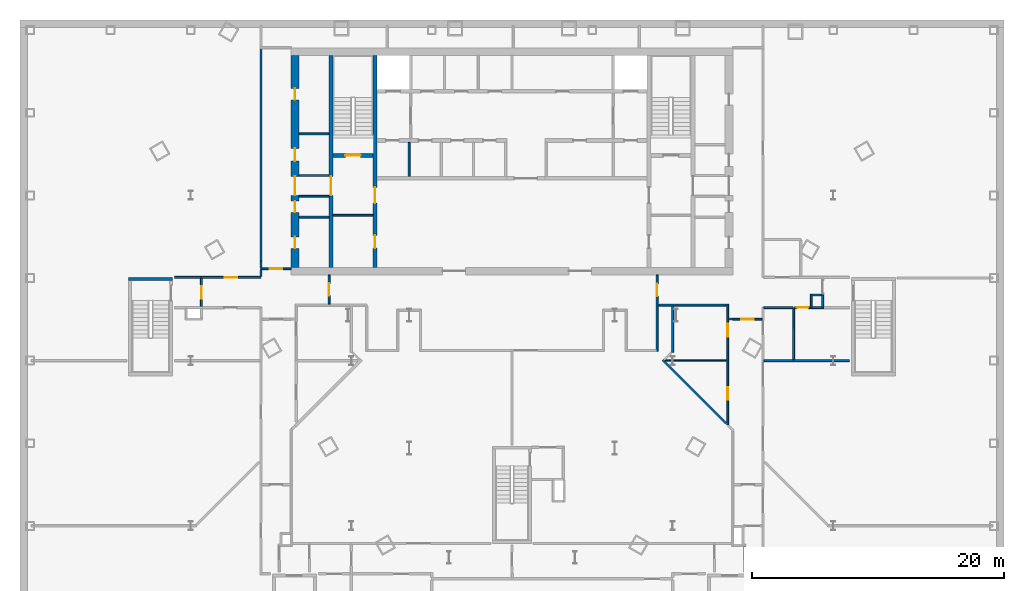
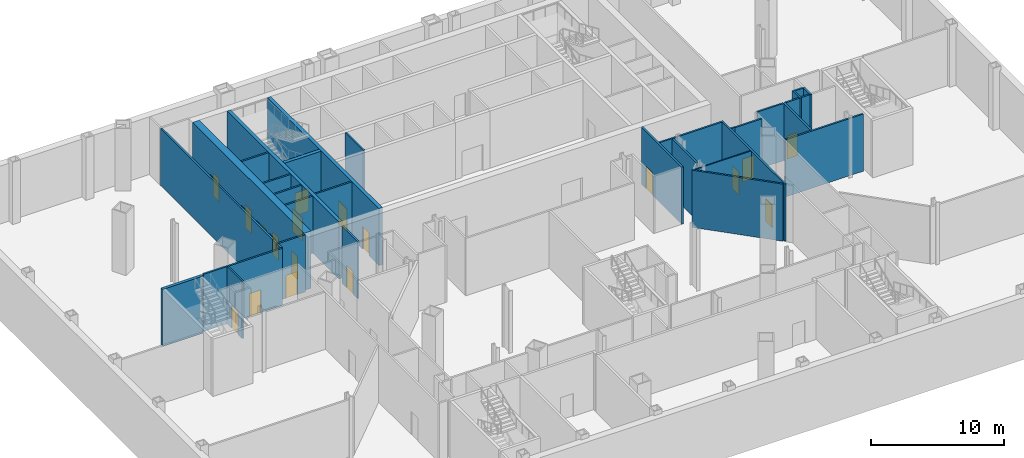
# One storey, part 8 of 17: 34 walls, 18 doors, 18 openings.
"""IFC4 building model written with IfcOpenShell, lengths in metres."""

from ifc_helpers import new_model, si_unit, direction, frame, frame_2d, origin, place, context, subcontext, project, spatial, rectangle, extrude, material, layer, layer_set, type_object, element, fill, save


model = new_model("IFC4")

# Units and contexts
model_context = context("Model", 3, precision=1e-05, world=origin(), true_north=direction((0.0, 1.0)))
body_context = subcontext(model_context, "Body", "Model", "MODEL_VIEW")
ifc_project = project(units=[si_unit("LENGTHUNIT", "METRE"), si_unit("AREAUNIT", "SQUARE_METRE"), si_unit("VOLUMEUNIT", "CUBIC_METRE"), si_unit("PLANEANGLEUNIT", "RADIAN"), si_unit("MASSUNIT", "GRAM", prefix="KILO")], contexts=[model_context])

# Site, building, storey
site_placement = place(None, origin())
site = spatial("IfcSite", under=ifc_project, at=site_placement, CompositionType="ELEMENT")
building_placement = place(site_placement, origin())
building = spatial("IfcBuilding", under=site, at=building_placement, Name="Njiva Tower", CompositionType="ELEMENT")
storey_placement = place(building_placement, frame((0.0, 0.0, -11.4)))
storey = spatial("IfcBuildingStorey", under=building, at=storey_placement, Name="B2", CompositionType="ELEMENT", Elevation=-11.4)

# Walls
ifc_material_1 = material(Name="Blockwork", Category="masonry")
ifc_layer_1 = layer(ifc_material_1, 0.15)
ifc_layer_set_1 = layer_set([ifc_layer_1], Name="Blockwork")
wall_type_1 = type_object("IfcWallType", Name="WT1 Compartment partition 150", PredefinedType="PARTITIONING", material=ifc_layer_set_1)
wall_1_placement = place(storey_placement, frame((-8.15, 7.8, 0.0), z_axis=(0.0, 0.0, 1.0), x_axis=(0.0, 1.0, 0.0)))
element("IfcWall", 1, at=wall_1_placement, inside=storey, type_object=wall_type_1, Name="Partition CS1", PredefinedType="PARTITIONING", context=body_context, shape_type="SweptSolid", body=[
    extrude(rectangle(XDim=2.7, YDim=0.15, at=frame_2d((1.35, 0.0))), origin(), (0.0, 0.0, 1.0), 5.25),
])
wall_2_placement = place(storey_placement, frame((-14.2, 4.725, 0.0), z_axis=(0.0, 0.0, 1.0), x_axis=(1.0, 0.0, 0.0)))
element("IfcWall", 2, at=wall_2_placement, inside=storey, type_object=wall_type_1, Name="Room wall A", PredefinedType="PARTITIONING", context=body_context, shape_type="SweptSolid", body=[
    extrude(rectangle(XDim=3.2, YDim=0.15, at=frame_2d((1.6, 0.0))), origin(), (0.0, 0.0, 1.0), 5.25),
])
wall_3_placement = place(storey_placement, frame((-16.9, 11.1709, 0.0), z_axis=(0.0, 0.0, 1.0), x_axis=(1.0, 0.0, 0.0)))
element("IfcWall", 3, at=wall_3_placement, inside=storey, type_object=wall_type_1, Name="Partition strip W10", PredefinedType="PARTITIONING", context=body_context, shape_type="SweptSolid", body=[
    extrude(rectangle(XDim=2.4, YDim=0.15, at=frame_2d((1.2, 0.0))), origin(), (0.0, 0.0, 1.0), 5.25),
])

# Wall, openings, doors
ifc_material_2 = material(Name="Concrete C40/50", Category="concrete")
ifc_layer_2 = layer(ifc_material_2, 0.3)
ifc_layer_set_2 = layer_set([ifc_layer_2], Name="Concrete C40/50")
wall_type_2 = type_object("IfcWallType", Name="WT10 Stair enclosure wall 300", PredefinedType="SHEAR", material=ifc_layer_set_2)
wall_4_placement = place(storey_placement, frame((-10.85, 0.6, 0.0), z_axis=(0.0, 0.0, 1.0), x_axis=(0.0, 1.0, 0.0)))
wall_4 = element("IfcWall", 4, at=wall_4_placement, inside=storey, type_object=wall_type_2, Name="Stair wall west inner", PredefinedType="SHEAR", context=body_context, shape_type="SweptSolid", body=[
    extrude(rectangle(XDim=16.8, YDim=0.3, at=frame_2d((8.4, 0.0))), origin(), (0.0, 0.0, 1.0), 5.25),
])
opening_1_placement = place(wall_4_placement, frame((5.075, 0.0, 0.0)))
opening_1 = element("IfcOpeningElement", 5, at=opening_1_placement, cuts=wall_4, Name="Opening B2-D915", PredefinedType="OPENING", context=body_context, shape_type="SweptSolid", body=[
    extrude(rectangle(XDim=1.25, YDim=2.1, at=frame_2d((0.625, 1.05))), frame((0.0, 0.16, 0.0), z_axis=(0.0, -1.0, 0.0), x_axis=(1.0, 0.0, 0.0)), (0.0, 0.0, 1.0), 0.32),
])
opening_2_placement = place(wall_4_placement, frame((1.525, 0.0, 0.0)))
opening_2 = element("IfcOpeningElement", 6, at=opening_2_placement, cuts=wall_4, Name="Opening B2-D916", PredefinedType="OPENING", context=body_context, shape_type="SweptSolid", body=[
    extrude(rectangle(XDim=1.0, YDim=2.1, at=frame_2d((0.5, 1.05))), frame((0.0, 0.16, 0.0), z_axis=(0.0, -1.0, 0.0), x_axis=(1.0, 0.0, 0.0)), (0.0, 0.0, 1.0), 0.32),
])
ifc_material_3 = material(Name="Steel door, painted", Category="steel")
door_type_1 = type_object("IfcDoorType", Name="D5 Steel door 1000x2100", OperationType="SINGLE_SWING_LEFT", PredefinedType="DOOR", material=ifc_material_3)
door_1_placement = place(opening_2_placement, origin())
door_1 = element("IfcDoor", 7, at=door_1_placement, inside=storey, type_object=door_type_1, Name="Plant room door", OperationType="SINGLE_SWING_RIGHT", OverallHeight=2.1, OverallWidth=1.0, PredefinedType="DOOR", context=body_context, shape_type="SweptSolid", body=[
    extrude(rectangle(XDim=1.0, YDim=2.1, at=frame_2d((0.5, 1.05))), frame((0.0, 0.025, 0.0), z_axis=(0.0, -1.0, 0.0), x_axis=(1.0, 0.0, 0.0)), (0.0, 0.0, 1.0), 0.05),
])
fill(opening_2, door_1)
ifc_material_4 = material(Name="Glazed steel fire door", Category="steel")
door_type_2 = type_object("IfcDoorType", Name="D8 Vestibule corridor door 1250x2100 glazed", OperationType="SINGLE_SWING_LEFT", PredefinedType="DOOR", material=ifc_material_4)
door_2_placement = place(opening_1_placement, origin())
door_2 = element("IfcDoor", 8, at=door_2_placement, inside=storey, type_object=door_type_2, Name="Stair vestibule corridor door", OperationType="SINGLE_SWING_LEFT", OverallHeight=2.1, OverallWidth=1.25, PredefinedType="DOOR", context=body_context, shape_type="SweptSolid", body=[
    extrude(rectangle(XDim=1.25, YDim=2.1, at=frame_2d((0.625, 1.05))), frame((0.0, 0.025, 0.0), z_axis=(0.0, -1.0, 0.0), x_axis=(1.0, 0.0, 0.0)), (0.0, 0.0, 1.0), 0.05),
])
fill(opening_1, door_2)

# Wall, opening, door
wall_5_placement = place(storey_placement, frame((-14.35, 0.6, 0.0), z_axis=(0.0, 0.0, 1.0), x_axis=(0.0, 1.0, 0.0)))
wall_5 = element("IfcWall", 9, at=wall_5_placement, inside=storey, type_object=wall_type_2, Name="Stair wall west outer", PredefinedType="SHEAR", context=body_context, shape_type="SweptSolid", body=[
    extrude(rectangle(XDim=16.8, YDim=0.3, at=frame_2d((8.4, 0.0))), origin(), (0.0, 0.0, 1.0), 5.25),
])
opening_3_placement = place(wall_5_placement, frame((5.7, 0.0, 0.0)))
opening_3 = element("IfcOpeningElement", 10, at=opening_3_placement, cuts=wall_5, Name="Opening B2-D921", PredefinedType="OPENING", context=body_context, shape_type="SweptSolid", body=[
    extrude(rectangle(XDim=1.5, YDim=2.1, at=frame_2d((0.75, 1.05))), frame((0.0, 0.16, 0.0), z_axis=(0.0, -1.0, 0.0), x_axis=(1.0, 0.0, 0.0)), (0.0, 0.0, 1.0), 0.32),
])
door_type_3 = type_object("IfcDoorType", Name="D10 Exit door double 1500x2100 glazed", OperationType="DOUBLE_DOOR_SINGLE_SWING", PredefinedType="DOOR", material=ifc_material_4)
door_3_placement = place(opening_3_placement, origin())
door_3 = element("IfcDoor", 11, at=door_3_placement, inside=storey, type_object=door_type_3, Name="Stair A passage door", OperationType="DOUBLE_DOOR_SINGLE_SWING", OverallHeight=2.1, OverallWidth=1.5, PredefinedType="DOOR", context=body_context, shape_type="SweptSolid", body=[
    extrude(rectangle(XDim=1.5, YDim=2.1, at=frame_2d((0.75, 1.05))), frame((0.0, 0.025, 0.0), z_axis=(0.0, -1.0, 0.0), x_axis=(1.0, 0.0, 0.0)), (0.0, 0.0, 1.0), 0.05),
])
fill(opening_3, door_3)

wall_6_placement = place(storey_placement, frame((-14.2, 9.45, 0.0), z_axis=(0.0, 0.0, 1.0), x_axis=(1.0, 0.0, 0.0)))
wall_6 = element("IfcWall", 12, at=wall_6_placement, inside=storey, type_object=wall_type_2, Name="Stair A south wall", PredefinedType="SHEAR", context=body_context, shape_type="SweptSolid", body=[
    extrude(rectangle(XDim=3.2, YDim=0.3, at=frame_2d((1.6, 0.0))), origin(), (0.0, 0.0, 1.0), 5.25),
])
opening_4_placement = place(wall_6_placement, frame((1.0, 0.0, 0.0)))
opening_4 = element("IfcOpeningElement", 13, at=opening_4_placement, cuts=wall_6, Name="Opening B2-D914", PredefinedType="OPENING", context=body_context, shape_type="SweptSolid", body=[
    extrude(rectangle(XDim=1.2, YDim=2.1, at=frame_2d((0.6, 1.05))), frame((0.0, 0.16, 0.0), z_axis=(0.0, -1.0, 0.0), x_axis=(1.0, 0.0, 0.0)), (0.0, 0.0, 1.0), 0.32),
])
door_type_4 = type_object("IfcDoorType", Name="D7 Stair vestibule door 1200x2100 glazed", OperationType="SINGLE_SWING_LEFT", PredefinedType="DOOR", material=ifc_material_4)
door_4_placement = place(opening_4_placement, origin())
door_4 = element("IfcDoor", 14, at=door_4_placement, inside=storey, type_object=door_type_4, Name="Stair A door", OperationType="SINGLE_SWING_LEFT", OverallHeight=2.1, OverallWidth=1.2, PredefinedType="DOOR", context=body_context, shape_type="SweptSolid", body=[
    extrude(rectangle(XDim=1.2, YDim=2.1, at=frame_2d((0.6, 1.05))), frame((0.0, 0.025, 0.0), z_axis=(0.0, -1.0, 0.0), x_axis=(1.0, 0.0, 0.0)), (0.0, 0.0, 1.0), 0.05),
])
fill(opening_4, door_4)

# Wall, openings, doors
ifc_material_5 = material(Name="Concrete C60/75", Category="concrete")
ifc_layer_3 = layer(ifc_material_5, 0.6)
ifc_layer_set_3 = layer_set([ifc_layer_3], Name="Concrete C60/75")
wall_type_3 = type_object("IfcWallType", Name="WT15 Core wall 600", PredefinedType="SHEAR", material=ifc_layer_set_3)
wall_7_placement = place(storey_placement, frame((-17.2, 0.6, 0.0), z_axis=(0.0, 0.0, 1.0), x_axis=(0.0, 1.0, 0.0)))
wall_7 = element("IfcWall", 15, at=wall_7_placement, inside=storey, type_object=wall_type_3, Name="Core wall west", PredefinedType="SHEAR", context=body_context, shape_type="SweptSolid", body=[
    extrude(rectangle(XDim=16.8, YDim=0.6, at=frame_2d((8.4, 0.0))), origin(), (0.0, 0.0, 1.0), 5.25),
])
opening_5_placement = place(wall_7_placement, frame((5.7, 0.0, 0.0)))
opening_5 = element("IfcOpeningElement", 16, at=opening_5_placement, cuts=wall_7, Name="Opening B2-D922", PredefinedType="OPENING", context=body_context, shape_type="SweptSolid", body=[
    extrude(rectangle(XDim=1.5, YDim=2.1, at=frame_2d((0.75, 1.05))), frame((0.0, 0.31, 0.0), z_axis=(0.0, -1.0, 0.0), x_axis=(1.0, 0.0, 0.0)), (0.0, 0.0, 1.0), 0.62),
])
opening_6_placement = place(wall_7_placement, frame((1.5, 0.0, 0.0)))
opening_6 = element("IfcOpeningElement", 17, at=opening_6_placement, cuts=wall_7, Name="Opening B2-D923", PredefinedType="OPENING", context=body_context, shape_type="SweptSolid", body=[
    extrude(rectangle(XDim=0.9, YDim=2.1, at=frame_2d((0.45, 1.05))), frame((0.0, 0.31, 0.0), z_axis=(0.0, -1.0, 0.0), x_axis=(1.0, 0.0, 0.0)), (0.0, 0.0, 1.0), 0.62),
])
opening_7_placement = place(wall_7_placement, frame((4.35, 0.0, 0.0)))
opening_7 = element("IfcOpeningElement", 18, at=opening_7_placement, cuts=wall_7, Name="Opening B2-D924", PredefinedType="OPENING", context=body_context, shape_type="SweptSolid", body=[
    extrude(rectangle(XDim=0.9, YDim=2.1, at=frame_2d((0.45, 1.05))), frame((0.0, 0.31, 0.0), z_axis=(0.0, -1.0, 0.0), x_axis=(1.0, 0.0, 0.0)), (0.0, 0.0, 1.0), 0.62),
])
opening_8_placement = place(wall_7_placement, frame((8.423, 0.0, 0.0)))
opening_8 = element("IfcOpeningElement", 19, at=opening_8_placement, cuts=wall_7, Name="Opening B2-D925", PredefinedType="OPENING", context=body_context, shape_type="SweptSolid", body=[
    extrude(rectangle(XDim=1.0, YDim=2.1, at=frame_2d((0.5, 1.05))), frame((0.0, 0.31, 0.0), z_axis=(0.0, -1.0, 0.0), x_axis=(1.0, 0.0, 0.0)), (0.0, 0.0, 1.0), 0.62),
])
opening_9_placement = place(wall_7_placement, frame((13.273, 0.0, 0.0)))
opening_9 = element("IfcOpeningElement", 20, at=opening_9_placement, cuts=wall_7, Name="Opening B2-D926", PredefinedType="OPENING", context=body_context, shape_type="SweptSolid", body=[
    extrude(rectangle(XDim=0.9, YDim=2.1, at=frame_2d((0.45, 1.05))), frame((0.0, 0.31, 0.0), z_axis=(0.0, -1.0, 0.0), x_axis=(1.0, 0.0, 0.0)), (0.0, 0.0, 1.0), 0.62),
])
door_5_placement = place(opening_5_placement, origin())
door_5 = element("IfcDoor", 21, at=door_5_placement, inside=storey, type_object=door_type_3, Name="Stair A corridor door", OperationType="DOUBLE_DOOR_SINGLE_SWING", OverallHeight=2.1, OverallWidth=1.5, PredefinedType="DOOR", context=body_context, shape_type="SweptSolid", body=[
    extrude(rectangle(XDim=1.5, YDim=2.1, at=frame_2d((0.75, 1.05))), frame((0.0, 0.025, 0.0), z_axis=(0.0, -1.0, 0.0), x_axis=(1.0, 0.0, 0.0)), (0.0, 0.0, 1.0), 0.05),
])
fill(opening_5, door_5)
door_type_5 = type_object("IfcDoorType", Name="D4 Riser door 900x2100", OperationType="SINGLE_SWING_LEFT", PredefinedType="DOOR", material=ifc_material_3)
door_6_placement = place(opening_7_placement, origin())
door_6 = element("IfcDoor", 22, at=door_6_placement, inside=storey, type_object=door_type_5, Name="Riser door", OperationType="SINGLE_SWING_RIGHT", OverallHeight=2.1, OverallWidth=0.9, PredefinedType="DOOR", context=body_context, shape_type="SweptSolid", body=[
    extrude(rectangle(XDim=0.9, YDim=2.1, at=frame_2d((0.45, 1.05))), frame((0.0, 0.025, 0.0), z_axis=(0.0, -1.0, 0.0), x_axis=(1.0, 0.0, 0.0)), (0.0, 0.0, 1.0), 0.05),
])
fill(opening_7, door_6)
door_7_placement = place(opening_8_placement, origin())
door_7 = element("IfcDoor", 23, at=door_7_placement, inside=storey, type_object=door_type_1, Name="Electrical room door", OperationType="SINGLE_SWING_RIGHT", OverallHeight=2.1, OverallWidth=1.0, PredefinedType="DOOR", context=body_context, shape_type="SweptSolid", body=[
    extrude(rectangle(XDim=1.0, YDim=2.1, at=frame_2d((0.5, 1.05))), frame((0.0, 0.025, 0.0), z_axis=(0.0, -1.0, 0.0), x_axis=(1.0, 0.0, 0.0)), (0.0, 0.0, 1.0), 0.05),
])
fill(opening_8, door_7)
ifc_material_6 = material(Name="Steel fire door, painted", Category="steel")
door_type_6 = type_object("IfcDoorType", Name="D6 Fire-rated door 900x2100", OperationType="SINGLE_SWING_LEFT", PredefinedType="DOOR", material=ifc_material_6)
door_8_placement = place(opening_6_placement, origin())
door_8 = element("IfcDoor", 24, at=door_8_placement, inside=storey, type_object=door_type_6, Name="First aid room door", OperationType="SINGLE_SWING_LEFT", OverallHeight=2.1, OverallWidth=0.9, PredefinedType="DOOR", context=body_context, shape_type="SweptSolid", body=[
    extrude(rectangle(XDim=0.9, YDim=2.1, at=frame_2d((0.45, 1.05))), frame((0.0, 0.025, 0.0), z_axis=(0.0, -1.0, 0.0), x_axis=(1.0, 0.0, 0.0)), (0.0, 0.0, 1.0), 0.05),
])
fill(opening_6, door_8)
door_9_placement = place(opening_9_placement, origin())
door_9 = element("IfcDoor", 25, at=door_9_placement, inside=storey, type_object=door_type_6, Name="Breakout room door", OperationType="SINGLE_SWING_RIGHT", OverallHeight=2.1, OverallWidth=0.9, PredefinedType="DOOR", context=body_context, shape_type="SweptSolid", body=[
    extrude(rectangle(XDim=0.9, YDim=2.1, at=frame_2d((0.45, 1.05))), frame((0.0, 0.025, 0.0), z_axis=(0.0, -1.0, 0.0), x_axis=(1.0, 0.0, 0.0)), (0.0, 0.0, 1.0), 0.05),
])
fill(opening_9, door_9)

# Wall
ifc_material_7 = material(Name="Gypsum board on steel studs", Category="gypsum")
ifc_layer_4 = layer(ifc_material_7, 0.1)
ifc_layer_set_4 = layer_set([ifc_layer_4], Name="Gypsum board on steel studs")
wall_type_4 = type_object("IfcWallType", Name="WT20 Gypsum partition 100", PredefinedType="PARTITIONING", material=ifc_layer_set_4)
wall_8_placement = place(storey_placement, frame((12.157, -6.8, 0.0), z_axis=(0.0, 0.0, 1.0), x_axis=(1.0, 0.0, 0.0)))
element("IfcWall", 26, at=wall_8_placement, inside=storey, type_object=wall_type_4, Name="Partition B2-P071", PredefinedType="PARTITIONING", context=body_context, shape_type="SweptSolid", body=[
    extrude(rectangle(XDim=4.868, YDim=0.1, at=frame_2d((2.434, 0.0))), origin(), (0.0, 0.0, 1.0), 5.25),
])

# Wall, opening, door
ifc_layer_5 = layer(ifc_material_7, 0.15)
ifc_layer_set_5 = layer_set([ifc_layer_5], Name="Gypsum board on steel studs")
wall_type_5 = type_object("IfcWallType", Name="WT21 Compartment wall 150", PredefinedType="PARTITIONING", material=ifc_layer_set_5)
wall_9_placement = place(storey_placement, frame((-26.75, -0.2, 0.0), z_axis=(0.0, 0.0, 1.0), x_axis=(1.0, 0.0, 0.0)))
wall_9 = element("IfcWall", 27, at=wall_9_placement, inside=storey, type_object=wall_type_5, Name="Partition B2-P005", PredefinedType="PARTITIONING", context=body_context, shape_type="SweptSolid", body=[
    extrude(rectangle(XDim=6.846, YDim=0.15, at=frame_2d((3.423, 0.0))), origin(), (0.0, 0.0, 1.0), 5.25),
])
opening_10_placement = place(wall_9_placement, frame((3.982, 0.0, 0.0)))
opening_10 = element("IfcOpeningElement", 28, at=opening_10_placement, cuts=wall_9, Name="Opening B2-D001", PredefinedType="OPENING", context=body_context, shape_type="SweptSolid", body=[
    extrude(rectangle(XDim=1.0, YDim=2.1, at=frame_2d((0.5, 1.05))), frame((0.0, 0.085, 0.0), z_axis=(0.0, -1.0, 0.0), x_axis=(1.0, 0.0, 0.0)), (0.0, 0.0, 1.0), 0.17),
])
ifc_material_8 = material(Name="Steel fire door set", Category="steel")
door_type_7 = type_object("IfcDoorType", Name="D37 Fire door 1000x2100", OperationType="SINGLE_SWING_LEFT", PredefinedType="DOOR", material=ifc_material_8)
door_10_placement = place(opening_10_placement, origin())
door_10 = element("IfcDoor", 29, at=door_10_placement, inside=storey, type_object=door_type_7, Name="Door B2-D001", OperationType="SINGLE_SWING_LEFT", OverallHeight=2.1, OverallWidth=1.0, PredefinedType="DOOR", context=body_context, shape_type="SweptSolid", body=[
    extrude(rectangle(XDim=1.0, YDim=2.1, at=frame_2d((0.5, 1.05))), frame((0.0, 0.025, 0.0), z_axis=(0.0, -1.0, 0.0), x_axis=(1.0, 0.0, 0.0)), (0.0, 0.0, 1.0), 0.05),
])
fill(opening_10, door_10)

wall_10_placement = place(storey_placement, frame((-24.625, -2.525, 0.0), z_axis=(0.0, 0.0, 1.0), x_axis=(0.0, 1.0, 0.0)))
wall_10 = element("IfcWall", 30, at=wall_10_placement, inside=storey, type_object=wall_type_5, Name="Partition B2-P011", PredefinedType="PARTITIONING", context=body_context, shape_type="SweptSolid", body=[
    extrude(rectangle(XDim=2.25, YDim=0.15, at=frame_2d((1.125, 0.0))), origin(), (0.0, 0.0, 1.0), 5.25),
])
opening_11_placement = place(wall_10_placement, frame((0.625, 0.0, 0.0)))
opening_11 = element("IfcOpeningElement", 31, at=opening_11_placement, cuts=wall_10, Name="Opening B2-D002", PredefinedType="OPENING", context=body_context, shape_type="SweptSolid", body=[
    extrude(rectangle(XDim=1.0, YDim=2.1, at=frame_2d((0.5, 1.05))), frame((0.0, 0.085, 0.0), z_axis=(0.0, -1.0, 0.0), x_axis=(1.0, 0.0, 0.0)), (0.0, 0.0, 1.0), 0.17),
])
door_type_8 = type_object("IfcDoorType", Name="D41 Glazed fire door 1000x2100", OperationType="SINGLE_SWING_LEFT", PredefinedType="DOOR", material=ifc_material_4)
door_11_placement = place(opening_11_placement, origin())
door_11 = element("IfcDoor", 32, at=door_11_placement, inside=storey, type_object=door_type_8, Name="Door B2-D002", OperationType="SINGLE_SWING_RIGHT", OverallHeight=2.1, OverallWidth=1.0, PredefinedType="DOOR", context=body_context, shape_type="SweptSolid", body=[
    extrude(rectangle(XDim=1.0, YDim=2.1, at=frame_2d((0.5, 1.05))), frame((0.0, 0.025, 0.0), z_axis=(0.0, -1.0, 0.0), x_axis=(1.0, 0.0, 0.0)), (0.0, 0.0, 1.0), 0.05),
])
fill(opening_11, door_11)

# Wall
wall_11_placement = place(storey_placement, frame((-19.9, -0.125, 0.0), z_axis=(0.0, 0.0, 1.0), x_axis=(0.0, 1.0, 0.0)))
element("IfcWall", 33, at=wall_11_placement, inside=storey, type_object=wall_type_5, Name="Partition B2-P015", PredefinedType="PARTITIONING", context=body_context, shape_type="SweptSolid", body=[
    extrude(rectangle(XDim=0.53, YDim=0.15, at=frame_2d((0.265, 0.0))), origin(), (0.0, 0.0, 1.0), 5.25),
])

# Wall, opening, door
wall_12_placement = place(storey_placement, frame((-19.9, 0.48, 0.0), z_axis=(0.0, 0.0, 1.0), x_axis=(1.0, 0.0, 0.0)))
wall_12 = element("IfcWall", 34, at=wall_12_placement, inside=storey, type_object=wall_type_5, Name="Partition B2-P016", PredefinedType="PARTITIONING", context=body_context, shape_type="SweptSolid", body=[
    extrude(rectangle(XDim=2.4, YDim=0.15, at=frame_2d((1.2, 0.0))), origin(), (0.0, 0.0, 1.0), 5.25),
])
opening_12_placement = place(wall_12_placement, frame((0.7, 0.0, 0.0)))
opening_12 = element("IfcOpeningElement", 35, at=opening_12_placement, cuts=wall_12, Name="Opening B2-D006", PredefinedType="OPENING", context=body_context, shape_type="SweptSolid", body=[
    extrude(rectangle(XDim=1.0, YDim=2.1, at=frame_2d((0.5, 1.05))), frame((0.0, 0.085, 0.0), z_axis=(0.0, -1.0, 0.0), x_axis=(1.0, 0.0, 0.0)), (0.0, 0.0, 1.0), 0.17),
])
door_12_placement = place(opening_12_placement, origin())
door_12 = element("IfcDoor", 36, at=door_12_placement, inside=storey, type_object=door_type_7, Name="Door B2-D006", OperationType="SINGLE_SWING_LEFT", OverallHeight=2.1, OverallWidth=1.0, PredefinedType="DOOR", context=body_context, shape_type="SweptSolid", body=[
    extrude(rectangle(XDim=1.0, YDim=2.1, at=frame_2d((0.5, 1.05))), frame((0.0, 0.025, 0.0), z_axis=(0.0, -1.0, 0.0), x_axis=(1.0, 0.0, 0.0)), (0.0, 0.0, 1.0), 0.05),
])
fill(opening_12, door_12)

# Walls
wall_13_placement = place(storey_placement, frame((-19.9, 0.555, 0.0), z_axis=(0.0, 0.0, 1.0), x_axis=(0.0, 1.0, 0.0)))
element("IfcWall", 37, at=wall_13_placement, inside=storey, type_object=wall_type_5, Name="Partition B2-P017", PredefinedType="PARTITIONING", context=body_context, shape_type="SweptSolid", body=[
    extrude(rectangle(XDim=0.541, YDim=0.15, at=frame_2d((0.2705, 0.0))), origin(), (0.0, 0.0, 1.0), 5.25),
])
wall_14_placement = place(storey_placement, frame((-19.9, 1.101, 0.0), z_axis=(0.0, 0.0, 1.0), x_axis=(0.0, 1.0, 0.0)))
element("IfcWall", 38, at=wall_14_placement, inside=storey, type_object=wall_type_5, Name="Partition B2-P018", PredefinedType="PARTITIONING", context=body_context, shape_type="SweptSolid", body=[
    extrude(rectangle(XDim=16.824, YDim=0.15, at=frame_2d((8.412, 0.0))), origin(), (0.0, 0.0, 1.0), 5.25),
])

# Wall, opening, door
wall_15_placement = place(storey_placement, frame((-14.5, -2.325, 0.0), z_axis=(0.0, 0.0, 1.0), x_axis=(0.0, 1.0, 0.0)))
wall_15 = element("IfcWall", 39, at=wall_15_placement, inside=storey, type_object=wall_type_5, Name="Partition B2-P041", PredefinedType="PARTITIONING", context=body_context, shape_type="SweptSolid", body=[
    extrude(rectangle(XDim=2.325, YDim=0.15, at=frame_2d((1.1625, 0.0))), origin(), (0.0, 0.0, 1.0), 5.25),
])
opening_13_placement = place(wall_15_placement, frame((0.662, 0.0, 0.0)))
opening_13 = element("IfcOpeningElement", 40, at=opening_13_placement, cuts=wall_15, Name="Opening B2-D015", PredefinedType="OPENING", context=body_context, shape_type="SweptSolid", body=[
    extrude(rectangle(XDim=1.0, YDim=2.1, at=frame_2d((0.5, 1.05))), frame((0.0, 0.085, 0.0), z_axis=(0.0, -1.0, 0.0), x_axis=(1.0, 0.0, 0.0)), (0.0, 0.0, 1.0), 0.17),
])
door_13_placement = place(opening_13_placement, origin())
door_13 = element("IfcDoor", 41, at=door_13_placement, inside=storey, type_object=door_type_7, Name="Door B2-D015", OperationType="SINGLE_SWING_LEFT", OverallHeight=2.1, OverallWidth=1.0, PredefinedType="DOOR", context=body_context, shape_type="SweptSolid", body=[
    extrude(rectangle(XDim=1.0, YDim=2.1, at=frame_2d((0.5, 1.05))), frame((0.0, 0.025, 0.0), z_axis=(0.0, -1.0, 0.0), x_axis=(1.0, 0.0, 0.0)), (0.0, 0.0, 1.0), 0.05),
])
fill(opening_13, door_13)

wall_16_placement = place(storey_placement, frame((11.5, -6.075, 0.0), z_axis=(0.0, 0.0, 1.0), x_axis=(0.0, 1.0, 0.0)))
wall_16 = element("IfcWall", 42, at=wall_16_placement, inside=storey, type_object=wall_type_5, Name="Partition B2-P067", PredefinedType="PARTITIONING", context=body_context, shape_type="SweptSolid", body=[
    extrude(rectangle(XDim=6.075, YDim=0.15, at=frame_2d((3.0375, 0.0))), origin(), (0.0, 0.0, 1.0), 5.25),
])
opening_14_placement = place(wall_16_placement, frame((4.375, 0.0, 0.0)))
opening_14 = element("IfcOpeningElement", 43, at=opening_14_placement, cuts=wall_16, Name="Opening B2-D021", PredefinedType="OPENING", context=body_context, shape_type="SweptSolid", body=[
    extrude(rectangle(XDim=1.0, YDim=2.1, at=frame_2d((0.5, 1.05))), frame((0.0, 0.085, 0.0), z_axis=(0.0, -1.0, 0.0), x_axis=(1.0, 0.0, 0.0)), (0.0, 0.0, 1.0), 0.17),
])
door_14_placement = place(opening_14_placement, origin())
door_14 = element("IfcDoor", 44, at=door_14_placement, inside=storey, type_object=door_type_7, Name="Door B2-D021", OperationType="SINGLE_SWING_RIGHT", OverallHeight=2.1, OverallWidth=1.0, PredefinedType="DOOR", context=body_context, shape_type="SweptSolid", body=[
    extrude(rectangle(XDim=1.0, YDim=2.1, at=frame_2d((0.5, 1.05))), frame((0.0, 0.025, 0.0), z_axis=(0.0, -1.0, 0.0), x_axis=(1.0, 0.0, 0.0)), (0.0, 0.0, 1.0), 0.05),
])
fill(opening_14, door_14)

# Walls
wall_17_placement = place(storey_placement, frame((11.575, -2.4, 0.0), z_axis=(0.0, 0.0, 1.0), x_axis=(1.0, 0.0, 0.0)))
element("IfcWall", 45, at=wall_17_placement, inside=storey, type_object=wall_type_5, Name="Partition B2-P068", PredefinedType="PARTITIONING", context=body_context, shape_type="SweptSolid", body=[
    extrude(rectangle(XDim=5.45, YDim=0.15, at=frame_2d((2.725, 0.0))), origin(), (0.0, 0.0, 1.0), 5.25),
])
wall_18_placement = place(storey_placement, frame((11.947, -6.747, 0.0), z_axis=(0.0, 0.0, 1.0), x_axis=(0.707106781187, -0.707106781187, 0.0)))
element("IfcWall", 46, at=wall_18_placement, inside=storey, type_object=wall_type_5, Name="Partition B2-P069", PredefinedType="PARTITIONING", context=body_context, shape_type="SweptSolid", body=[
    extrude(rectangle(XDim=7.1064, YDim=0.15, at=frame_2d((3.5532, 0.0))), origin(), (0.0, 0.0, 1.0), 5.25),
])
wall_19_placement = place(storey_placement, frame((12.733, -6.142, 0.0), z_axis=(0.0, 0.0, 1.0), x_axis=(0.0, 1.0, 0.0)))
element("IfcWall", 47, at=wall_19_placement, inside=storey, type_object=wall_type_5, Name="Partition B2-P074", PredefinedType="PARTITIONING", context=body_context, shape_type="SweptSolid", body=[
    extrude(rectangle(XDim=3.667, YDim=0.15, at=frame_2d((1.8335, 0.0))), origin(), (0.0, 0.0, 1.0), 5.25),
])

# Wall, openings, doors
wall_20_placement = place(storey_placement, frame((17.1, -11.9, 0.0), z_axis=(0.0, 0.0, 1.0), x_axis=(0.0, 1.0, 0.0)))
wall_20 = element("IfcWall", 48, at=wall_20_placement, inside=storey, type_object=wall_type_5, Name="Partition B2-P077", PredefinedType="PARTITIONING", context=body_context, shape_type="SweptSolid", body=[
    extrude(rectangle(XDim=9.575, YDim=0.15, at=frame_2d((4.7875, 0.0))), origin(), (0.0, 0.0, 1.0), 5.25),
])
opening_15_placement = place(wall_20_placement, frame((2.0, 0.0, 0.0)))
opening_15 = element("IfcOpeningElement", 49, at=opening_15_placement, cuts=wall_20, Name="Opening B2-D024", PredefinedType="OPENING", context=body_context, shape_type="SweptSolid", body=[
    extrude(rectangle(XDim=1.0, YDim=2.1, at=frame_2d((0.5, 1.05))), frame((0.0, 0.085, 0.0), z_axis=(0.0, -1.0, 0.0), x_axis=(1.0, 0.0, 0.0)), (0.0, 0.0, 1.0), 0.17),
])
opening_16_placement = place(wall_20_placement, frame((7.011, 0.0, 0.0)))
opening_16 = element("IfcOpeningElement", 50, at=opening_16_placement, cuts=wall_20, Name="Opening B2-D025", PredefinedType="OPENING", context=body_context, shape_type="SweptSolid", body=[
    extrude(rectangle(XDim=1.0, YDim=2.1, at=frame_2d((0.5, 1.05))), frame((0.0, 0.085, 0.0), z_axis=(0.0, -1.0, 0.0), x_axis=(1.0, 0.0, 0.0)), (0.0, 0.0, 1.0), 0.17),
])
door_15_placement = place(opening_15_placement, origin())
door_15 = element("IfcDoor", 51, at=door_15_placement, inside=storey, type_object=door_type_7, Name="Door B2-D024", OperationType="SINGLE_SWING_RIGHT", OverallHeight=2.1, OverallWidth=1.0, PredefinedType="DOOR", context=body_context, shape_type="SweptSolid", body=[
    extrude(rectangle(XDim=1.0, YDim=2.1, at=frame_2d((0.5, 1.05))), frame((0.0, 0.025, 0.0), z_axis=(0.0, -1.0, 0.0), x_axis=(1.0, 0.0, 0.0)), (0.0, 0.0, 1.0), 0.05),
])
fill(opening_15, door_15)
door_16_placement = place(opening_16_placement, origin())
door_16 = element("IfcDoor", 52, at=door_16_placement, inside=storey, type_object=door_type_7, Name="Door B2-D025", OperationType="SINGLE_SWING_LEFT", OverallHeight=2.1, OverallWidth=1.0, PredefinedType="DOOR", context=body_context, shape_type="SweptSolid", body=[
    extrude(rectangle(XDim=1.0, YDim=2.1, at=frame_2d((0.5, 1.05))), frame((0.0, 0.025, 0.0), z_axis=(0.0, -1.0, 0.0), x_axis=(1.0, 0.0, 0.0)), (0.0, 0.0, 1.0), 0.05),
])
fill(opening_16, door_16)

# Wall
wall_21_placement = place(storey_placement, frame((17.175, -3.5, 0.0), z_axis=(0.0, 0.0, 1.0), x_axis=(1.0, 0.0, 0.0)))
element("IfcWall", 53, at=wall_21_placement, inside=storey, type_object=wall_type_5, Name="Partition B2-P079", PredefinedType="PARTITIONING", context=body_context, shape_type="SweptSolid", body=[
    extrude(rectangle(XDim=0.325, YDim=0.15, at=frame_2d((0.1625, 0.0))), origin(), (0.0, 0.0, 1.0), 5.25),
])

# Wall, opening, door
wall_22_placement = place(storey_placement, frame((17.5, -3.525, 0.0), z_axis=(0.0, 0.0, 1.0), x_axis=(1.0, 0.0, 0.0)))
wall_22 = element("IfcWall", 54, at=wall_22_placement, inside=storey, type_object=wall_type_5, Name="Partition B2-P082", PredefinedType="PARTITIONING", context=body_context, shape_type="SweptSolid", body=[
    extrude(rectangle(XDim=2.325, YDim=0.15, at=frame_2d((1.1625, 0.0))), origin(), (0.0, 0.0, 1.0), 5.25),
])
opening_17_placement = place(wall_22_placement, frame((0.662, 0.0, 0.0)))
opening_17 = element("IfcOpeningElement", 55, at=opening_17_placement, cuts=wall_22, Name="Opening B2-D026", PredefinedType="OPENING", context=body_context, shape_type="SweptSolid", body=[
    extrude(rectangle(XDim=1.0, YDim=2.1, at=frame_2d((0.5, 1.05))), frame((0.0, 0.085, 0.0), z_axis=(0.0, -1.0, 0.0), x_axis=(1.0, 0.0, 0.0)), (0.0, 0.0, 1.0), 0.17),
])
door_17_placement = place(opening_17_placement, origin())
door_17 = element("IfcDoor", 56, at=door_17_placement, inside=storey, type_object=door_type_7, Name="Door B2-D026", OperationType="SINGLE_SWING_RIGHT", OverallHeight=2.1, OverallWidth=1.0, PredefinedType="DOOR", context=body_context, shape_type="SweptSolid", body=[
    extrude(rectangle(XDim=1.0, YDim=2.1, at=frame_2d((0.5, 1.05))), frame((0.0, 0.025, 0.0), z_axis=(0.0, -1.0, 0.0), x_axis=(1.0, 0.0, 0.0)), (0.0, 0.0, 1.0), 0.05),
])
fill(opening_17, door_17)

# Walls
wall_23_placement = place(storey_placement, frame((19.975, -6.8, 0.0), z_axis=(0.0, 0.0, 1.0), x_axis=(1.0, 0.0, 0.0)))
element("IfcWall", 57, at=wall_23_placement, inside=storey, type_object=wall_type_5, Name="Partition B2-P095", PredefinedType="PARTITIONING", context=body_context, shape_type="SweptSolid", body=[
    extrude(rectangle(XDim=6.775, YDim=0.15, at=frame_2d((3.3875, 0.0))), origin(), (0.0, 0.0, 1.0), 5.25),
])
wall_24_placement = place(storey_placement, frame((19.975, -2.6, 0.0), z_axis=(0.0, 0.0, 1.0), x_axis=(1.0, 0.0, 0.0)))
element("IfcWall", 58, at=wall_24_placement, inside=storey, type_object=wall_type_5, Name="Partition B2-P096", PredefinedType="PARTITIONING", context=body_context, shape_type="SweptSolid", body=[
    extrude(rectangle(XDim=2.282, YDim=0.15, at=frame_2d((1.141, 0.0))), origin(), (0.0, 0.0, 1.0), 5.25),
])
wall_25_placement = place(storey_placement, frame((22.326, -6.725, 0.0), z_axis=(0.0, 0.0, 1.0), x_axis=(0.001454543916, 0.99999894215, 0.0)))
element("IfcWall", 59, at=wall_25_placement, inside=storey, type_object=wall_type_5, Name="Partition B2-P100", PredefinedType="PARTITIONING", context=body_context, shape_type="SweptSolid", body=[
    extrude(rectangle(XDim=4.125, YDim=0.15, at=frame_2d((2.0625, 0.0))), origin(), (0.0, 0.0, 1.0), 5.25),
])

# Wall, opening, door
wall_26_placement = place(storey_placement, frame((22.407, -2.6, 0.0), z_axis=(0.0, 0.0, 1.0), x_axis=(1.0, 0.0, 0.0)))
wall_26 = element("IfcWall", 60, at=wall_26_placement, inside=storey, type_object=wall_type_5, Name="Partition B2-P101", PredefinedType="PARTITIONING", context=body_context, shape_type="SweptSolid", body=[
    extrude(rectangle(XDim=1.243, YDim=0.15, at=frame_2d((0.6215, 0.0))), origin(), (0.0, 0.0, 1.0), 5.25),
])
opening_18_placement = place(wall_26_placement, frame((0.172, 0.0, 0.0)))
opening_18 = element("IfcOpeningElement", 61, at=opening_18_placement, cuts=wall_26, Name="Opening B2-D037", PredefinedType="OPENING", context=body_context, shape_type="SweptSolid", body=[
    extrude(rectangle(XDim=0.9, YDim=2.1, at=frame_2d((0.45, 1.05))), frame((0.0, 0.085, 0.0), z_axis=(0.0, -1.0, 0.0), x_axis=(1.0, 0.0, 0.0)), (0.0, 0.0, 1.0), 0.17),
])
door_type_9 = type_object("IfcDoorType", Name="D36 Fire door 900x2100", OperationType="SINGLE_SWING_LEFT", PredefinedType="DOOR", material=ifc_material_8)
door_18_placement = place(opening_18_placement, origin())
door_18 = element("IfcDoor", 62, at=door_18_placement, inside=storey, type_object=door_type_9, Name="Door B2-D037", OperationType="SINGLE_SWING_RIGHT", OverallHeight=2.1, OverallWidth=0.9, PredefinedType="DOOR", context=body_context, shape_type="SweptSolid", body=[
    extrude(rectangle(XDim=0.9, YDim=2.1, at=frame_2d((0.45, 1.05))), frame((0.0, 0.025, 0.0), z_axis=(0.0, -1.0, 0.0), x_axis=(1.0, 0.0, 0.0)), (0.0, 0.0, 1.0), 0.05),
])
fill(opening_18, door_18)

# Walls
ifc_layer_6 = layer(ifc_material_7, 0.15)
ifc_layer_set_6 = layer_set([ifc_layer_6], Name="Gypsum board on steel studs")
wall_type_6 = type_object("IfcWallType", Name="WT24 Riser room wall 150", PredefinedType="PARTITIONING", material=ifc_layer_set_6)
wall_27_placement = place(storey_placement, frame((23.725, -2.675, 0.0), z_axis=(0.0, 0.0, 1.0), x_axis=(0.0, 1.0, 0.0)))
element("IfcWall", 63, at=wall_27_placement, inside=storey, type_object=wall_type_6, Name="Partition B2-P103", PredefinedType="PARTITIONING", context=body_context, shape_type="SweptSolid", body=[
    extrude(rectangle(XDim=1.15, YDim=0.15, at=frame_2d((0.575, 0.0))), origin(), (0.0, 0.0, 1.0), 5.25),
])
for number, where, z_axis, x_axis, name in (
    (64, (23.8, -2.6, 0.0), (0.0, 0.0, 1.0), (1.0, 0.0, 0.0), "Partition B2-P104"),
    (65, (23.8, -1.6, 0.0), (0.0, 0.0, 1.0), (1.0, 0.0, 0.0), "Partition B2-P105"),
):
    element("IfcWall", number, at=place(storey_placement, frame(where, z_axis=z_axis, x_axis=x_axis)), inside=storey, type_object=wall_type_6, Name=name, PredefinedType="PARTITIONING", context=body_context, shape_type="SweptSolid", body=[
        extrude(rectangle(XDim=0.75, YDim=0.15, at=frame_2d((0.375, 0.0))), origin(), (0.0, 0.0, 1.0), 5.25),
    ])
wall_28_placement = place(storey_placement, frame((24.625, -2.675, 0.0), z_axis=(0.0, 0.0, 1.0), x_axis=(0.0, 1.0, 0.0)))
element("IfcWall", 66, at=wall_28_placement, inside=storey, type_object=wall_type_6, Name="Partition B2-P106", PredefinedType="PARTITIONING", context=body_context, shape_type="SweptSolid", body=[
    extrude(rectangle(XDim=1.087, YDim=0.15, at=frame_2d((0.5435, 0.0))), origin(), (0.0, 0.0, 1.0), 5.25),
])
ifc_layer_7 = layer(ifc_material_1, 0.15)
ifc_layer_set_7 = layer_set([ifc_layer_7], Name="Blockwork")
wall_type_7 = type_object("IfcWallType", Name="WT3 Riser partition 150", PredefinedType="PARTITIONING", material=ifc_layer_set_7)
wall_29_placement = place(storey_placement, frame((-16.9, 4.575, 0.0), z_axis=(0.0, 0.0, 1.0), x_axis=(1.0, 0.0, 0.0)))
element("IfcWall", 67, at=wall_29_placement, inside=storey, type_object=wall_type_7, Name="Partition strip W00", PredefinedType="PARTITIONING", context=body_context, shape_type="SweptSolid", body=[
    extrude(rectangle(XDim=2.4, YDim=0.15, at=frame_2d((1.2, 0.0))), origin(), (0.0, 0.0, 1.0), 5.25),
])
ifc_layer_8 = layer(ifc_material_1, 0.15)
ifc_layer_set_8 = layer_set([ifc_layer_8], Name="Blockwork")
wall_type_8 = type_object("IfcWallType", Name="WT4 Stair partition 150", PredefinedType="PARTITIONING", material=ifc_layer_set_8)
for number, where, z_axis, x_axis, name in (
    (68, (-16.9, 6.225, 0.0), (0.0, 0.0, 1.0), (1.0, 0.0, 0.0), "Stair A exit passage wall south"),
    (69, (-16.9, 7.875, 0.0), (0.0, 0.0, 1.0), (1.0, 0.0, 0.0), "Stair A exit passage wall north"),
):
    element("IfcWall", number, at=place(storey_placement, frame(where, z_axis=z_axis, x_axis=x_axis)), inside=storey, type_object=wall_type_8, Name=name, PredefinedType="PARTITIONING", context=body_context, shape_type="SweptSolid", body=[
        extrude(rectangle(XDim=2.4, YDim=0.15, at=frame_2d((1.2, 0.0))), origin(), (0.0, 0.0, 1.0), 5.25),
    ])
ifc_layer_9 = layer(ifc_material_2, 0.25)
ifc_layer_set_9 = layer_set([ifc_layer_9], Name="Concrete C40/50")
wall_type_9 = type_object("IfcWallType", Name="WT9 Stair enclosure wall 250", PredefinedType="SHEAR", material=ifc_layer_set_9)
wall_30_placement = place(storey_placement, frame((-30.4, -0.325, 0.0), z_axis=(0.0, 0.0, 1.0), x_axis=(1.0, 0.0, 0.0)))
element("IfcWall", 70, at=wall_30_placement, inside=storey, type_object=wall_type_9, Name="Stair F wall north", PredefinedType="SHEAR", context=body_context, shape_type="SweptSolid", body=[
    extrude(rectangle(XDim=3.5, YDim=0.25, at=frame_2d((1.75, 0.0))), origin(), (0.0, 0.0, 1.0), 5.25),
])

save(model, "model.ifc")
